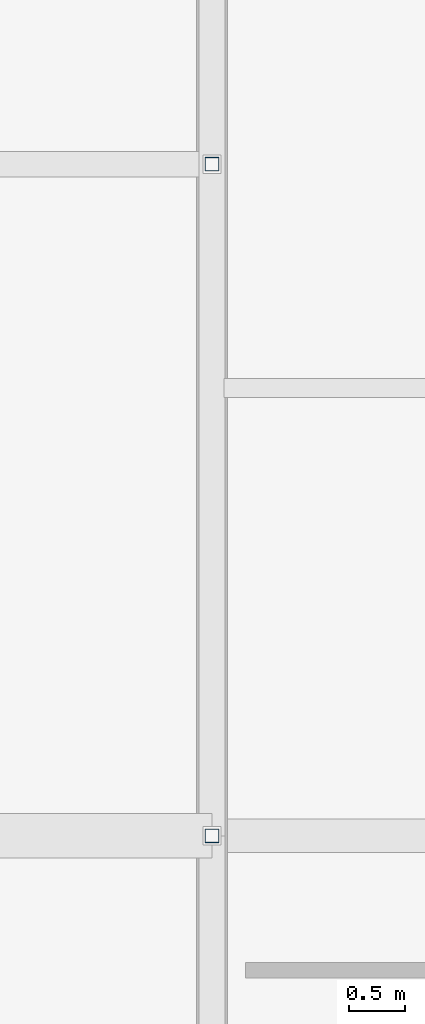
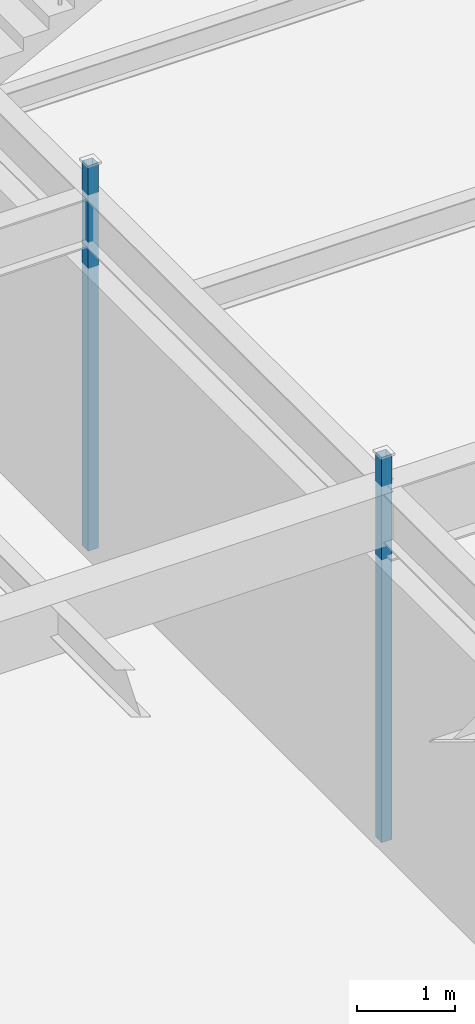
# One storey, part 40 of 199: 2 columns.
"""IFC4 building model written with IfcOpenShell, lengths in metres."""

from ifc_helpers import new_model, si_unit, direction, frame, origin, origin_2d, place, context, subcontext, project, spatial, hollow_rectangle, extrude, material, material_profile, profile_set, type_object, element, save


model = new_model("IFC4")

# Units and contexts
model_context = context("Model", 3, precision=1e-05, world=origin(), true_north=direction((0.0, 1.0)))
body_context = subcontext(model_context, "Body", "Model", "MODEL_VIEW")
ifc_project = project(units=[si_unit("LENGTHUNIT", "METRE"), si_unit("AREAUNIT", "SQUARE_METRE"), si_unit("VOLUMEUNIT", "CUBIC_METRE"), si_unit("PLANEANGLEUNIT", "RADIAN"), si_unit("MASSUNIT", "GRAM", prefix="KILO")], contexts=[model_context])

# Site, building, storey
site_placement = place(None, origin())
site = spatial("IfcSite", under=ifc_project, at=site_placement, CompositionType="ELEMENT")
building_placement = place(site_placement, origin())
building = spatial("IfcBuilding", under=site, at=building_placement, Name="Tarnwether General Hospital", CompositionType="ELEMENT")
storey_placement = place(building_placement, origin())
storey = spatial("IfcBuildingStorey", under=building, at=storey_placement, Name="L00", CompositionType="ELEMENT", Elevation=0.0)

# Columns
ifc_material = material(Name="Steel Grade C350L0 (350 MPa)", Category="steel")
ifc_material_profile = material_profile(ifc_material, hollow_rectangle(XDim=0.125, YDim=0.125, WallThickness=0.006103515625, at=origin_2d()), Name="SHS125x125x6")
ifc_profile_set = profile_set([ifc_material_profile], Name="Steel Grade C350L0 (350 MPa)")
column_type = type_object("IfcColumnType", Name="COL-34", PredefinedType="COLUMN", material=ifc_profile_set)
for number, where, z_axis, x_axis, name in (
    (1, (144.0, 21.60009765625, 0.0), (0.0, 0.0, 1.0), (1.0, 0.0, 0.0), "Column COLG-L00-14400_2160"),
    (2, (144.0, 27.60009765625, 0.0), (0.0, 0.0, 1.0), (1.0, 0.0, 0.0), "Column COLG-L00-14400_2760"),
):
    element("IfcColumn", number, at=place(storey_placement, frame(where, z_axis=z_axis, x_axis=x_axis)), inside=storey, type_object=column_type, Name=name, PredefinedType="COLUMN", context=body_context, shape_type="SweptSolid", body=[
        extrude(hollow_rectangle(XDim=0.125, YDim=0.125, WallThickness=0.006103515625, at=origin_2d()), origin(), (0.0, 0.0, 1.0), 4.800048828125),
    ])

save(model, "model.ifc")
